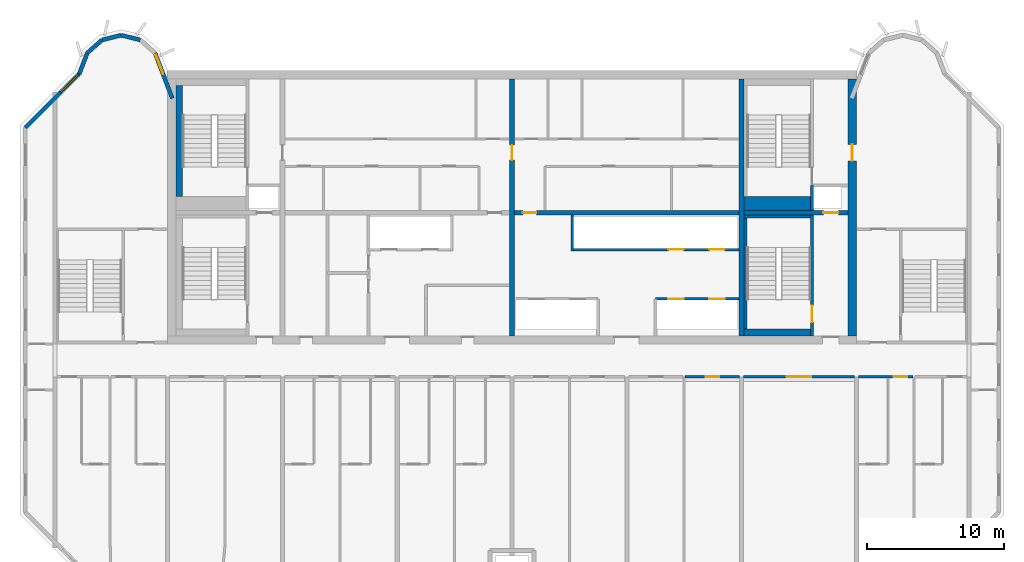
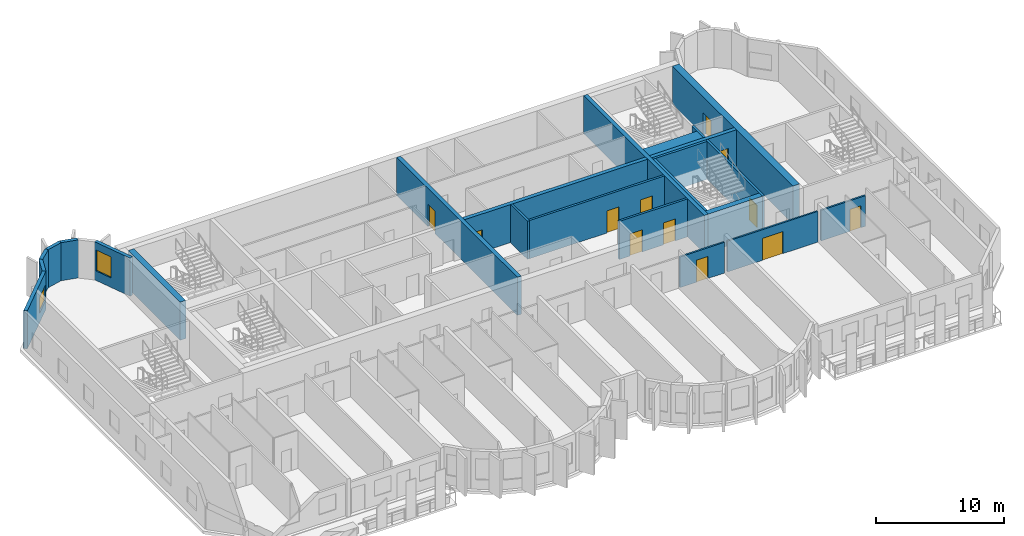
# One storey, part 6 of 11: 24 walls, 12 doors, 2 windows, 14 openings.
"""IFC4 building model written with IfcOpenShell, lengths in metres."""

from ifc_helpers import new_model, si_unit, direction, frame, frame_2d, origin, place, context, subcontext, project, spatial, rectangle, extrude, source, transform, mapped, material, layer, layer_set, type_object, element, fill, save


model = new_model("IFC4")

# Units and contexts
model_context = context("Model", 3, precision=1e-05, world=origin(), true_north=direction((0.0, 1.0)))
body_context = subcontext(model_context, "Body", "Model", "MODEL_VIEW")
ifc_project = project(units=[si_unit("LENGTHUNIT", "METRE"), si_unit("AREAUNIT", "SQUARE_METRE"), si_unit("VOLUMEUNIT", "CUBIC_METRE"), si_unit("PLANEANGLEUNIT", "RADIAN"), si_unit("MASSUNIT", "GRAM", prefix="KILO")], contexts=[model_context])

# Site, building, storey
site_placement = place(None, origin())
site = spatial("IfcSite", under=ifc_project, at=site_placement, CompositionType="ELEMENT")
building_placement = place(site_placement, origin())
building = spatial("IfcBuilding", under=site, at=building_placement, Name="Vanashikhar Sky Hotel", CompositionType="ELEMENT")
storey_placement = place(building_placement, frame((0.0, 0.0, 245.199951171875)))
storey = spatial("IfcBuildingStorey", under=building, at=storey_placement, Name="L59", CompositionType="ELEMENT", Elevation=245.199951171875)

# Wall, opening, door
ifc_material_1 = material(Name="Concrete M60", Category="concrete")
ifc_layer_1 = layer(ifc_material_1, 0.60009765625)
ifc_layer_set_1 = layer_set([ifc_layer_1], Name="RC core shell wall 600 Concrete M60")
wall_type_1 = type_object("IfcWallType", Name="RC core shell wall 600 Concrete M60", PredefinedType="SHEAR", material=ifc_layer_set_1)
shared_shape_1 = source(origin(), body_context, "Body", "SweptSolid", [
    extrude(rectangle(XDim=18.7998046875, YDim=0.60009765625, at=frame_2d((9.39990234375, 0.0))), origin(), (0.0, 0.0, 1.0), 3.6201171875),
])
wall_1_placement = place(storey_placement, frame((75.300048828125, 22.60009765625, 0.0), z_axis=(0.0, 0.0, 1.0), x_axis=(0.0, 1.0, 0.0)))
wall_1 = element("IfcWall", 1, at=wall_1_placement, inside=storey, type_object=wall_type_1, Name="KW-L59-KE", PredefinedType="SHEAR", context=body_context, shape_type="MappedRepresentation", body=[
    mapped(shared_shape_1, transform((0.0, 0.0, 0.0), scale=1.0)),
])
shared_shape_2 = source(origin(), body_context, "Body", "SweptSolid", [
    extrude(rectangle(XDim=1.199951171875, YDim=2.10009765625, at=frame_2d((0.60009765625, 1.050048828125))), frame((0.0, 0.31005859375, 0.0), z_axis=(0.0, -1.0, 0.0), x_axis=(1.0, 0.0, 0.0)), (0.0, 0.0, 1.0), 0.6201171875),
])
opening_1_placement = place(wall_1_placement, frame((12.800048828125, 0.0, 0.0)))
opening_1 = element("IfcOpeningElement", 2, at=opening_1_placement, cuts=wall_1, Name="Opening DC-4-D", PredefinedType="OPENING", context=body_context, shape_type="MappedRepresentation", body=[
    mapped(shared_shape_2, transform((0.0, 0.0, 0.0), scale=1.0)),
])
ifc_material_2 = material(Name="Steel", Category="steel")
door_type_1 = type_object("IfcDoorType", Name="Service door 1200 FD120", OperationType="NOTDEFINED", PredefinedType="DOOR", material=ifc_material_2)
shared_shape_3 = source(origin(), body_context, "Body", "SweptSolid", [
    extrude(rectangle(XDim=1.199951171875, YDim=2.10009765625, at=frame_2d((0.60009765625, 1.050048828125))), frame((0.0, 0.02490234375, 0.0), z_axis=(0.0, -1.0, 0.0), x_axis=(1.0, 0.0, 0.0)), (0.0, 0.0, 1.0), 0.050048828125),
])
door_1_placement = place(opening_1_placement, origin())
door_1 = element("IfcDoor", 3, at=door_1_placement, inside=storey, type_object=door_type_1, Name="Service door 1200 FD120", OperationType="SINGLE_SWING_LEFT", OverallHeight=2.10009765625, OverallWidth=1.199951171875, PredefinedType="DOOR", context=body_context, shape_type="MappedRepresentation", body=[
    mapped(shared_shape_3, transform((0.0, 0.0, 0.0), scale=1.0)),
])
fill(opening_1, door_1)

ifc_layer_2 = layer(ifc_material_1, 0.35009765625)
ifc_layer_set_2 = layer_set([ifc_layer_2], Name="RC core inner wall 350 Concrete M60")
wall_type_2 = type_object("IfcWallType", Name="RC core inner wall 350 Concrete M60", PredefinedType="SHEAR", material=ifc_layer_set_2)
shared_shape_4 = source(origin(), body_context, "Body", "SweptSolid", [
    extrude(rectangle(XDim=18.7998046875, YDim=0.35009765625, at=frame_2d((9.39990234375, 0.0))), origin(), (0.0, 0.0, 1.0), 3.6201171875),
])
wall_2_placement = place(storey_placement, frame((50.39990234375, 22.60009765625, 0.0), z_axis=(0.0, 0.0, 1.0), x_axis=(0.0, 1.0, 0.0)))
wall_2 = element("IfcWall", 4, at=wall_2_placement, inside=storey, type_object=wall_type_2, Name="KW-L59-KX2", PredefinedType="SHEAR", context=body_context, shape_type="MappedRepresentation", body=[
    mapped(shared_shape_4, transform((0.0, 0.0, 0.0), scale=1.0)),
])
shared_shape_5 = source(origin(), body_context, "Body", "SweptSolid", [
    extrude(rectangle(XDim=1.10009765625, YDim=2.10009765625, at=frame_2d((0.550048828125, 1.050048828125))), frame((0.0, 0.18505859375, 0.0), z_axis=(0.0, -1.0, 0.0), x_axis=(1.0, 0.0, 0.0)), (0.0, 0.0, 1.0), 0.3701171875),
])
opening_2_placement = place(wall_2_placement, frame((12.85009765625, 0.0, 0.0)))
opening_2 = element("IfcOpeningElement", 5, at=opening_2_placement, cuts=wall_2, Name="Opening DC-4-C", PredefinedType="OPENING", context=body_context, shape_type="MappedRepresentation", body=[
    mapped(shared_shape_5, transform((0.0, 0.0, 0.0), scale=1.0)),
])
door_type_2 = type_object("IfcDoorType", Name="Service door 1100 FD60", OperationType="NOTDEFINED", PredefinedType="DOOR", material=ifc_material_2)
shared_shape_6 = source(origin(), body_context, "Body", "SweptSolid", [
    extrude(rectangle(XDim=1.10009765625, YDim=2.10009765625, at=frame_2d((0.550048828125, 1.050048828125))), frame((0.0, 0.02490234375, 0.0), z_axis=(0.0, -1.0, 0.0), x_axis=(1.0, 0.0, 0.0)), (0.0, 0.0, 1.0), 0.050048828125),
])
door_2_placement = place(opening_2_placement, origin())
door_2 = element("IfcDoor", 6, at=door_2_placement, inside=storey, type_object=door_type_2, Name="Service door 1100 FD60", OperationType="SINGLE_SWING_RIGHT", OverallHeight=2.10009765625, OverallWidth=1.10009765625, PredefinedType="DOOR", context=body_context, shape_type="MappedRepresentation", body=[
    mapped(shared_shape_6, transform((0.0, 0.0, 0.0), scale=1.0)),
])
fill(opening_2, door_2)

# Wall
wall_3_placement = place(storey_placement, frame((67.199951171875, 22.60009765625, 0.0), z_axis=(0.0, 0.0, 1.0), x_axis=(0.0, 1.0, 0.0)))
element("IfcWall", 7, at=wall_3_placement, inside=storey, type_object=wall_type_2, Name="KW-L59-KX3", PredefinedType="SHEAR", context=body_context, shape_type="MappedRepresentation", body=[
    mapped(shared_shape_4, transform((0.0, 0.0, 0.0), scale=1.0)),
])

# Wall, opening, door
shared_shape_7 = source(origin(), body_context, "Body", "SweptSolid", [
    extrude(rectangle(XDim=7.625, YDim=0.35009765625, at=frame_2d((3.8125, 0.0))), origin(), (0.0, 0.0, 1.0), 3.6201171875),
])
wall_4_placement = place(storey_placement, frame((67.375, 31.60009765625, 0.0), z_axis=(0.0, 0.0, 1.0), x_axis=(1.0, 0.0, 0.0)))
wall_4 = element("IfcWall", 8, at=wall_4_placement, inside=storey, type_object=wall_type_2, Name="KW-L59-KY4", PredefinedType="SHEAR", context=body_context, shape_type="MappedRepresentation", body=[
    mapped(shared_shape_7, transform((0.0, 0.0, 0.0), scale=1.0)),
])
opening_3_placement = place(wall_4_placement, frame((5.800048828125, 0.0, 0.0)))
opening_3 = element("IfcOpeningElement", 9, at=opening_3_placement, cuts=wall_4, Name="Opening LD", PredefinedType="OPENING", context=body_context, shape_type="MappedRepresentation", body=[
    mapped(shared_shape_5, transform((0.0, 0.0, 0.0), scale=1.0)),
])
ifc_material_3 = material(Name="Stainless steel", Category="steel")
door_type_3 = type_object("IfcDoorType", Name="Lift landing door 1100", OperationType="NOTDEFINED", PredefinedType="DOOR", material=ifc_material_3)
door_3_placement = place(opening_3_placement, origin())
door_3 = element("IfcDoor", 10, at=door_3_placement, inside=storey, type_object=door_type_3, Name="Lift landing door 1100", OperationType="SLIDING_TO_RIGHT", OverallHeight=2.10009765625, OverallWidth=1.10009765625, PredefinedType="DOOR", context=body_context, shape_type="MappedRepresentation", body=[
    mapped(shared_shape_6, transform((0.0, 0.0, 0.0), scale=1.0)),
])
fill(opening_3, door_3)

shared_shape_8 = source(origin(), body_context, "Body", "SweptSolid", [
    extrude(rectangle(XDim=16.449951171875, YDim=0.35009765625, at=frame_2d((8.22509765625, 0.0))), origin(), (0.0, 0.0, 1.0), 3.6201171875),
])
wall_5_placement = place(storey_placement, frame((50.574951171875, 31.60009765625, 0.0), z_axis=(0.0, 0.0, 1.0), x_axis=(1.0, 0.0, 0.0)))
wall_5 = element("IfcWall", 11, at=wall_5_placement, inside=storey, type_object=wall_type_2, Name="KW-L59-KY3", PredefinedType="SHEAR", context=body_context, shape_type="MappedRepresentation", body=[
    mapped(shared_shape_8, transform((0.0, 0.0, 0.0), scale=1.0)),
])
shared_shape_9 = source(origin(), body_context, "Body", "SweptSolid", [
    extrude(rectangle(XDim=1.0, YDim=2.10009765625, at=frame_2d((0.5, 1.050048828125))), frame((0.0, 0.18505859375, 0.0), z_axis=(0.0, -1.0, 0.0), x_axis=(1.0, 0.0, 0.0)), (0.0, 0.0, 1.0), 0.3701171875),
])
opening_4_placement = place(wall_5_placement, frame((0.613037109375, 0.0, 0.0)))
opening_4 = element("IfcOpeningElement", 12, at=opening_4_placement, cuts=wall_5, Name="Opening DC-4", PredefinedType="OPENING", context=body_context, shape_type="MappedRepresentation", body=[
    mapped(shared_shape_9, transform((0.0, 0.0, 0.0), scale=1.0)),
])
door_type_4 = type_object("IfcDoorType", Name="Service door 1000 FD60", OperationType="NOTDEFINED", PredefinedType="DOOR", material=ifc_material_2)
shared_shape_10 = source(origin(), body_context, "Body", "SweptSolid", [
    extrude(rectangle(XDim=1.0, YDim=2.10009765625, at=frame_2d((0.5, 1.050048828125))), frame((0.0, 0.02490234375, 0.0), z_axis=(0.0, -1.0, 0.0), x_axis=(1.0, 0.0, 0.0)), (0.0, 0.0, 1.0), 0.050048828125),
])
door_4_placement = place(opening_4_placement, origin())
door_4 = element("IfcDoor", 13, at=door_4_placement, inside=storey, type_object=door_type_4, Name="Service door 1000 FD60", OperationType="SINGLE_SWING_RIGHT", OverallHeight=2.10009765625, OverallWidth=1.0, PredefinedType="DOOR", context=body_context, shape_type="MappedRepresentation", body=[
    mapped(shared_shape_10, transform((0.0, 0.0, 0.0), scale=1.0)),
])
fill(opening_4, door_4)

# Wall, opening, window
ifc_material_4 = material(Name="Concrete M50", Category="concrete")
ifc_layer_3 = layer(ifc_material_4, 0.300048828125)
ifc_layer_set_3 = layer_set([ifc_layer_3], Name="Lobe wall 300")
wall_type_3 = type_object("IfcWallType", Name="Lobe wall 300", PredefinedType="SOLIDWALL", material=ifc_layer_set_3)
shared_shape_11 = source(origin(), body_context, "Body", "SweptSolid", [
    extrude(rectangle(XDim=5.576416015625, YDim=0.300048828125, at=frame_2d((2.7880859375, 0.0))), origin(), (0.0, 0.0, 1.0), 3.6201171875),
])
wall_6_placement = place(storey_placement, frame((18.7431640625, 41.77734375, 0.0), z_axis=(0.0, 0.0, 1.0), x_axis=(-0.707106781187, -0.707106781187, 0.0)))
wall_6 = element("IfcWall", 14, at=wall_6_placement, inside=storey, type_object=wall_type_3, Name="Corner wall", PredefinedType="SOLIDWALL", context=body_context, shape_type="MappedRepresentation", body=[
    mapped(shared_shape_11, transform((0.0, 0.0, 0.0), scale=1.0)),
])
shared_shape_12 = source(origin(), body_context, "Body", "SweptSolid", [
    extrude(rectangle(XDim=1.800048828125, YDim=1.5, at=frame_2d((0.89990234375, 0.75))), frame((0.0, 0.16015625, 0.0), z_axis=(0.0, -1.0, 0.0), x_axis=(1.0, 0.0, 0.0)), (0.0, 0.0, 1.0), 0.320068359375),
])
opening_5_placement = place(wall_6_placement, frame((0.117919921875, 0.0, 0.89990234375)))
opening_5 = element("IfcOpeningElement", 15, at=opening_5_placement, cuts=wall_6, Name="Opening WN-4", PredefinedType="OPENING", context=body_context, shape_type="MappedRepresentation", body=[
    mapped(shared_shape_12, transform((0.0, 0.0, 0.0), scale=1.0)),
])
ifc_material_5 = material(Name="Glass", Category="glass")
window_type_1 = type_object("IfcWindowType", Name="Corner window 1800 x 1500", PartitioningType="SINGLE_PANEL", PredefinedType="WINDOW", material=ifc_material_5)
shared_shape_13 = source(origin(), body_context, "Body", "SweptSolid", [
    extrude(rectangle(XDim=1.800048828125, YDim=1.5, at=frame_2d((0.89990234375, 0.75))), frame((0.0, 0.030029296875, 0.0), z_axis=(0.0, -1.0, 0.0), x_axis=(1.0, 0.0, 0.0)), (0.0, 0.0, 1.0), 0.06005859375),
])
window_1_placement = place(opening_5_placement, origin())
window_1 = element("IfcWindow", 16, at=window_1_placement, inside=storey, type_object=window_type_1, Name="Window WN-4", OverallHeight=1.5, OverallWidth=1.800048828125, PartitioningType="SINGLE_PANEL", PredefinedType="WINDOW", context=body_context, shape_type="MappedRepresentation", body=[
    mapped(shared_shape_13, transform((0.0, 0.0, 0.0), scale=1.0)),
])
fill(opening_5, window_1)

# Walls
shared_shape_14 = source(origin(), body_context, "Body", "SweptSolid", [
    extrude(rectangle(XDim=1.6220703125, YDim=0.300048828125, at=frame_2d((0.81103515625, 0.0))), origin(), (0.0, 0.0, 1.0), 3.6201171875),
])
wall_7_placement = place(storey_placement, frame((19.323486328125, 43.2919921875, 0.0), z_axis=(0.0, 0.0, 1.0), x_axis=(-0.357778527068, -0.933806471154, 0.0)))
element("IfcWall", 17, at=wall_7_placement, inside=storey, type_object=wall_type_3, Name="Lobe wall", PredefinedType="SOLIDWALL", context=body_context, shape_type="MappedRepresentation", body=[
    mapped(shared_shape_14, transform((0.0, 0.0, 0.0), scale=1.0)),
])
shared_shape_15 = source(origin(), body_context, "Body", "SweptSolid", [
    extrude(rectangle(XDim=1.43994140625, YDim=0.300048828125, at=frame_2d((0.719970703125, 0.0))), origin(), (0.0, 0.0, 1.0), 3.6201171875),
])
wall_8_placement = place(storey_placement, frame((20.40283203125, 44.2451171875, 0.0), z_axis=(0.0, 0.0, 1.0), x_axis=(-0.74957555648, -0.661918790432, 0.0)))
element("IfcWall", 18, at=wall_8_placement, inside=storey, type_object=wall_type_3, Name="Lobe wall", PredefinedType="SOLIDWALL", context=body_context, shape_type="MappedRepresentation", body=[
    mapped(shared_shape_15, transform((0.0, 0.0, 0.0), scale=1.0)),
])
shared_shape_16 = source(origin(), body_context, "Body", "SweptSolid", [
    extrude(rectangle(XDim=1.438720703125, YDim=0.300048828125, at=frame_2d((0.71923828125, 0.0))), origin(), (0.0, 0.0, 1.0), 3.6201171875),
])
wall_9_placement = place(storey_placement, frame((21.800048828125, 44.588134765625, 0.0), z_axis=(0.0, 0.0, 1.0), x_axis=(-0.971161932466, -0.238420848351, 0.0)))
element("IfcWall", 19, at=wall_9_placement, inside=storey, type_object=wall_type_3, Name="Lobe wall", PredefinedType="SOLIDWALL", context=body_context, shape_type="MappedRepresentation", body=[
    mapped(shared_shape_16, transform((0.0, 0.0, 0.0), scale=1.0)),
])

# Wall, opening, window
shared_shape_17 = source(origin(), body_context, "Body", "SweptSolid", [
    extrude(rectangle(XDim=3.55908203125, YDim=0.300048828125, at=frame_2d((1.779541015625, 0.0))), origin(), (0.0, 0.0, 1.0), 3.6201171875),
])
wall_10_placement = place(storey_placement, frame((25.550048828125, 39.968505859375, 0.0), z_axis=(0.0, 0.0, 1.0), x_axis=(-0.35779745313, 0.933799219604, 0.0)))
wall_10 = element("IfcWall", 20, at=wall_10_placement, inside=storey, type_object=wall_type_3, Name="Lobe wall", PredefinedType="SOLIDWALL", context=body_context, shape_type="MappedRepresentation", body=[
    mapped(shared_shape_17, transform((0.0, 0.0, 0.0), scale=1.0)),
])
shared_shape_18 = source(origin(), body_context, "Body", "SweptSolid", [
    extrude(rectangle(XDim=1.5, YDim=2.0, at=frame_2d((0.75, 1.0))), frame((0.0, 0.16015625, 0.0), z_axis=(0.0, -1.0, 0.0), x_axis=(1.0, 0.0, 0.0)), (0.0, 0.0, 1.0), 0.320068359375),
])
opening_6_placement = place(wall_10_placement, frame((1.9033203125, 0.0, 0.89990234375)))
opening_6 = element("IfcOpeningElement", 21, at=opening_6_placement, cuts=wall_10, Name="Opening WN-2", PredefinedType="OPENING", context=body_context, shape_type="MappedRepresentation", body=[
    mapped(shared_shape_18, transform((0.0, 0.0, 0.0), scale=1.0)),
])
window_type_2 = type_object("IfcWindowType", Name="Lobe window 1500 x 2000", PartitioningType="SINGLE_PANEL", PredefinedType="WINDOW", material=ifc_material_5)
shared_shape_19 = source(origin(), body_context, "Body", "SweptSolid", [
    extrude(rectangle(XDim=1.5, YDim=2.0, at=frame_2d((0.75, 1.0))), frame((0.0, 0.030029296875, 0.0), z_axis=(0.0, -1.0, 0.0), x_axis=(1.0, 0.0, 0.0)), (0.0, 0.0, 1.0), 0.06005859375),
])
window_2_placement = place(opening_6_placement, origin())
window_2 = element("IfcWindow", 22, at=window_2_placement, inside=storey, type_object=window_type_2, Name="Window WN-2", OverallHeight=2.0, OverallWidth=1.5, PartitioningType="SINGLE_PANEL", PredefinedType="WINDOW", context=body_context, shape_type="MappedRepresentation", body=[
    mapped(shared_shape_19, transform((0.0, 0.0, 0.0), scale=1.0)),
])
fill(opening_6, window_2)

# Walls
shared_shape_20 = source(origin(), body_context, "Body", "SweptSolid", [
    extrude(rectangle(XDim=1.4384765625, YDim=0.300048828125, at=frame_2d((0.71923828125, 0.0))), origin(), (0.0, 0.0, 1.0), 3.6201171875),
])
wall_11_placement = place(storey_placement, frame((23.197021484375, 44.2451171875, 0.0), z_axis=(0.0, 0.0, 1.0), x_axis=(-0.971152283879, 0.238460146601, 0.0)))
element("IfcWall", 23, at=wall_11_placement, inside=storey, type_object=wall_type_3, Name="Lobe wall", PredefinedType="SOLIDWALL", context=body_context, shape_type="MappedRepresentation", body=[
    mapped(shared_shape_20, transform((0.0, 0.0, 0.0), scale=1.0)),
])
ifc_material_6 = material(Name="Concrete M40", Category="concrete")
ifc_layer_4 = layer(ifc_material_6, 0.199951171875)
ifc_layer_set_4 = layer_set([ifc_layer_4], Name="Shaft wall 200")
wall_type_4 = type_object("IfcWallType", Name="Shaft wall 200", PredefinedType="SOLIDWALL", material=ifc_layer_set_4)
shared_shape_21 = source(origin(), body_context, "Body", "SweptSolid", [
    extrude(rectangle(XDim=2.625, YDim=0.199951171875, at=frame_2d((1.3125, 0.0))), origin(), (0.0, 0.0, 1.0), 3.6201171875),
])
wall_12_placement = place(storey_placement, frame((54.800048828125, 28.800048828125, 0.0), z_axis=(0.0, 0.0, 1.0), x_axis=(0.0, 1.0, 0.0)))
element("IfcWall", 24, at=wall_12_placement, inside=storey, type_object=wall_type_4, Name="Shaft wall 200", PredefinedType="SOLIDWALL", context=body_context, shape_type="MappedRepresentation", body=[
    mapped(shared_shape_21, transform((0.0, 0.0, 0.0), scale=1.0)),
])

# Wall, openings, doors
shared_shape_22 = source(origin(), body_context, "Body", "SweptSolid", [
    extrude(rectangle(XDim=6.125, YDim=0.199951171875, at=frame_2d((3.0625, 0.0))), origin(), (0.0, 0.0, 1.0), 3.6201171875),
])
wall_13_placement = place(storey_placement, frame((67.02490234375, 25.300048828125, 0.0), z_axis=(0.0, 0.0, 1.0), x_axis=(-1.0, 0.0, 0.0)))
wall_13 = element("IfcWall", 25, at=wall_13_placement, inside=storey, type_object=wall_type_4, Name="Shaft wall 200", PredefinedType="SOLIDWALL", context=body_context, shape_type="MappedRepresentation", body=[
    mapped(shared_shape_22, transform((0.0, 0.0, 0.0), scale=1.0)),
])
shared_shape_23 = source(origin(), body_context, "Body", "SweptSolid", [
    extrude(rectangle(XDim=1.10009765625, YDim=2.10009765625, at=frame_2d((0.550048828125, 1.050048828125))), frame((0.0, 0.10986328125, 0.0), z_axis=(0.0, -1.0, 0.0), x_axis=(1.0, 0.0, 0.0)), (0.0, 0.0, 1.0), 0.219970703125),
])
opening_7_placement = place(wall_13_placement, frame((1.074951171875, 0.0, 0.0)))
opening_7 = element("IfcOpeningElement", 26, at=opening_7_placement, cuts=wall_13, Name="Opening LD", PredefinedType="OPENING", context=body_context, shape_type="MappedRepresentation", body=[
    mapped(shared_shape_23, transform((0.0, 0.0, 0.0), scale=1.0)),
])
opening_8_placement = place(wall_13_placement, frame((4.074951171875, 0.0, 0.0)))
opening_8 = element("IfcOpeningElement", 27, at=opening_8_placement, cuts=wall_13, Name="Opening LD", PredefinedType="OPENING", context=body_context, shape_type="MappedRepresentation", body=[
    mapped(shared_shape_23, transform((0.0, 0.0, 0.0), scale=1.0)),
])
door_5_placement = place(opening_7_placement, origin())
door_5 = element("IfcDoor", 28, at=door_5_placement, inside=storey, type_object=door_type_3, Name="Lift landing door 1100", OperationType="SLIDING_TO_RIGHT", OverallHeight=2.10009765625, OverallWidth=1.10009765625, PredefinedType="DOOR", context=body_context, shape_type="MappedRepresentation", body=[
    mapped(shared_shape_6, transform((0.0, 0.0, 0.0), scale=1.0)),
])
fill(opening_7, door_5)
door_6_placement = place(opening_8_placement, origin())
door_6 = element("IfcDoor", 29, at=door_6_placement, inside=storey, type_object=door_type_3, Name="Lift landing door 1100", OperationType="SLIDING_TO_LEFT", OverallHeight=2.10009765625, OverallWidth=1.10009765625, PredefinedType="DOOR", context=body_context, shape_type="MappedRepresentation", body=[
    mapped(shared_shape_6, transform((0.0, 0.0, 0.0), scale=1.0)),
])
fill(opening_8, door_6)

shared_shape_24 = source(origin(), body_context, "Body", "SweptSolid", [
    extrude(rectangle(XDim=12.125, YDim=0.199951171875, at=frame_2d((6.0625, 0.0))), origin(), (0.0, 0.0, 1.0), 3.6201171875),
])
wall_14_placement = place(storey_placement, frame((67.02490234375, 28.89990234375, 0.0), z_axis=(0.0, 0.0, 1.0), x_axis=(-1.0, 0.0, 0.0)))
wall_14 = element("IfcWall", 30, at=wall_14_placement, inside=storey, type_object=wall_type_4, Name="Shaft wall 200", PredefinedType="SOLIDWALL", context=body_context, shape_type="MappedRepresentation", body=[
    mapped(shared_shape_24, transform((0.0, 0.0, 0.0), scale=1.0)),
])
opening_9_placement = place(wall_14_placement, frame((1.074951171875, 0.0, 0.0)))
opening_9 = element("IfcOpeningElement", 31, at=opening_9_placement, cuts=wall_14, Name="Opening LD", PredefinedType="OPENING", context=body_context, shape_type="MappedRepresentation", body=[
    mapped(shared_shape_23, transform((0.0, 0.0, 0.0), scale=1.0)),
])
opening_10_placement = place(wall_14_placement, frame((4.074951171875, 0.0, 0.0)))
opening_10 = element("IfcOpeningElement", 32, at=opening_10_placement, cuts=wall_14, Name="Opening LD", PredefinedType="OPENING", context=body_context, shape_type="MappedRepresentation", body=[
    mapped(shared_shape_23, transform((0.0, 0.0, 0.0), scale=1.0)),
])
door_7_placement = place(opening_9_placement, origin())
door_7 = element("IfcDoor", 33, at=door_7_placement, inside=storey, type_object=door_type_3, Name="Lift landing door 1100", OperationType="SLIDING_TO_RIGHT", OverallHeight=2.10009765625, OverallWidth=1.10009765625, PredefinedType="DOOR", context=body_context, shape_type="MappedRepresentation", body=[
    mapped(shared_shape_6, transform((0.0, 0.0, 0.0), scale=1.0)),
])
fill(opening_9, door_7)
door_8_placement = place(opening_10_placement, origin())
door_8 = element("IfcDoor", 34, at=door_8_placement, inside=storey, type_object=door_type_3, Name="Lift landing door 1100", OperationType="SLIDING_TO_LEFT", OverallHeight=2.10009765625, OverallWidth=1.10009765625, PredefinedType="DOOR", context=body_context, shape_type="MappedRepresentation", body=[
    mapped(shared_shape_6, transform((0.0, 0.0, 0.0), scale=1.0)),
])
fill(opening_10, door_8)

# Wall, opening, door
ifc_layer_5 = layer(ifc_material_4, 0.199951171875)
ifc_layer_set_5 = layer_set([ifc_layer_5], Name="Stair wall 200")
wall_type_5 = type_object("IfcWallType", Name="Stair wall 200", PredefinedType="SOLIDWALL", material=ifc_layer_set_5)
shared_shape_25 = source(origin(), body_context, "Body", "SweptSolid", [
    extrude(rectangle(XDim=8.824951171875, YDim=0.199951171875, at=frame_2d((4.41259765625, 0.0))), origin(), (0.0, 0.0, 1.0), 3.6201171875),
])
wall_15_placement = place(storey_placement, frame((72.35009765625, 22.60009765625, 0.0), z_axis=(0.0, 0.0, 1.0), x_axis=(0.0, 1.0, 0.0)))
wall_15 = element("IfcWall", 35, at=wall_15_placement, inside=storey, type_object=wall_type_5, Name="Stair wall 200", PredefinedType="SOLIDWALL", context=body_context, shape_type="MappedRepresentation", body=[
    mapped(shared_shape_25, transform((0.0, 0.0, 0.0), scale=1.0)),
])
shared_shape_26 = source(origin(), body_context, "Body", "SweptSolid", [
    extrude(rectangle(XDim=1.199951171875, YDim=2.10009765625, at=frame_2d((0.60009765625, 1.050048828125))), frame((0.0, 0.10986328125, 0.0), z_axis=(0.0, -1.0, 0.0), x_axis=(1.0, 0.0, 0.0)), (0.0, 0.0, 1.0), 0.219970703125),
])
opening_11_placement = place(wall_15_placement, frame((1.0, 0.0, 0.0)))
opening_11 = element("IfcOpeningElement", 36, at=opening_11_placement, cuts=wall_15, Name="Opening DC-1", PredefinedType="OPENING", context=body_context, shape_type="MappedRepresentation", body=[
    mapped(shared_shape_26, transform((0.0, 0.0, 0.0), scale=1.0)),
])
door_type_5 = type_object("IfcDoorType", Name="Stair door 1200 FD120", OperationType="NOTDEFINED", PredefinedType="DOOR", material=ifc_material_2)
door_9_placement = place(opening_11_placement, origin())
door_9 = element("IfcDoor", 37, at=door_9_placement, inside=storey, type_object=door_type_5, Name="Stair door 1200 FD120", OperationType="SINGLE_SWING_RIGHT", OverallHeight=2.10009765625, OverallWidth=1.199951171875, PredefinedType="DOOR", context=body_context, shape_type="MappedRepresentation", body=[
    mapped(shared_shape_3, transform((0.0, 0.0, 0.0), scale=1.0)),
])
fill(opening_11, door_9)

# Walls
shared_shape_27 = source(origin(), body_context, "Body", "SweptSolid", [
    extrude(rectangle(XDim=1.8251953125, YDim=0.199951171875, at=frame_2d((0.91259765625, 0.0))), origin(), (0.0, 0.0, 1.0), 3.6201171875),
])
wall_16_placement = place(storey_placement, frame((72.35009765625, 31.77490234375, 0.0), z_axis=(0.0, 0.0, 1.0), x_axis=(0.0, 1.0, 0.0)))
element("IfcWall", 38, at=wall_16_placement, inside=storey, type_object=wall_type_4, Name="Shaft wall 200", PredefinedType="SOLIDWALL", context=body_context, shape_type="MappedRepresentation", body=[
    mapped(shared_shape_27, transform((0.0, 0.0, 0.0), scale=1.0)),
])
ifc_layer_6 = layer(ifc_material_4, 0.5)
ifc_layer_set_6 = layer_set([ifc_layer_6], Name="Stair infill wall 500")
wall_type_6 = type_object("IfcWallType", Name="Stair infill wall 500", PredefinedType="SOLIDWALL", material=ifc_layer_set_6)
shared_shape_28 = source(origin(), body_context, "Body", "SweptSolid", [
    extrude(rectangle(XDim=8.099853515625, YDim=0.5, at=frame_2d((4.0498046875, 0.0))), origin(), (0.0, 0.0, 1.0), 3.6201171875),
])
wall_17_placement = place(storey_placement, frame((26.050048828125, 32.800048828125, 0.0), z_axis=(0.0, 0.0, 1.0), x_axis=(0.0, 1.0, 0.0)))
element("IfcWall", 39, at=wall_17_placement, inside=storey, type_object=wall_type_6, Name="Stair infill wall 500", PredefinedType="SOLIDWALL", context=body_context, shape_type="MappedRepresentation", body=[
    mapped(shared_shape_28, transform((0.0, 0.0, 0.0), scale=1.0)),
])
shared_shape_29 = source(origin(), body_context, "Body", "SweptSolid", [
    extrude(rectangle(XDim=4.875, YDim=0.5, at=frame_2d((2.4375, 0.0))), origin(), (0.0, 0.0, 1.0), 3.6201171875),
])
wall_18_placement = place(storey_placement, frame((67.375, 22.85009765625, 0.0), z_axis=(0.0, 0.0, 1.0), x_axis=(1.0, 0.0, 0.0)))
element("IfcWall", 40, at=wall_18_placement, inside=storey, type_object=wall_type_6, Name="Stair infill wall 500", PredefinedType="SOLIDWALL", context=body_context, shape_type="MappedRepresentation", body=[
    mapped(shared_shape_29, transform((0.0, 0.0, 0.0), scale=1.0)),
])
ifc_layer_7 = layer(ifc_material_4, 0.22509765625)
ifc_layer_set_7 = layer_set([ifc_layer_7], Name="Stair infill wall 225")
wall_type_7 = type_object("IfcWallType", Name="Stair infill wall 225", PredefinedType="SOLIDWALL", material=ifc_layer_set_7)
shared_shape_30 = source(origin(), body_context, "Body", "SweptSolid", [
    extrude(rectangle(XDim=4.875, YDim=0.22509765625, at=frame_2d((2.4375, 0.0))), origin(), (0.0, 0.0, 1.0), 3.6201171875),
])
wall_19_placement = place(storey_placement, frame((67.375, 31.31201171875, 0.0), z_axis=(0.0, 0.0, 1.0), x_axis=(1.0, 0.0, 0.0)))
element("IfcWall", 41, at=wall_19_placement, inside=storey, type_object=wall_type_7, Name="Stair infill wall 225", PredefinedType="SOLIDWALL", context=body_context, shape_type="MappedRepresentation", body=[
    mapped(shared_shape_30, transform((0.0, 0.0, 0.0), scale=1.0)),
])
shared_shape_31 = source(origin(), body_context, "Body", "SweptSolid", [
    extrude(rectangle(XDim=8.099853515625, YDim=0.22509765625, at=frame_2d((4.0498046875, 0.0))), origin(), (0.0, 0.0, 1.0), 3.6201171875),
])
wall_20_placement = place(storey_placement, frame((67.487060546875, 23.10009765625, 0.0), z_axis=(0.0, 0.0, 1.0), x_axis=(0.0, 1.0, 0.0)))
element("IfcWall", 42, at=wall_20_placement, inside=storey, type_object=wall_type_7, Name="Stair infill wall 225", PredefinedType="SOLIDWALL", context=body_context, shape_type="MappedRepresentation", body=[
    mapped(shared_shape_31, transform((0.0, 0.0, 0.0), scale=1.0)),
])
ifc_layer_8 = layer(ifc_material_4, 1.02490234375)
ifc_layer_set_8 = layer_set([ifc_layer_8], Name="Stair infill wall 1025")
wall_type_8 = type_object("IfcWallType", Name="Stair infill wall 1025", PredefinedType="SOLIDWALL", material=ifc_layer_set_8)
shared_shape_32 = source(origin(), body_context, "Body", "SweptSolid", [
    extrude(rectangle(XDim=4.875, YDim=1.02490234375, at=frame_2d((2.4375, 0.0))), origin(), (0.0, 0.0, 1.0), 3.6201171875),
])
wall_21_placement = place(storey_placement, frame((67.375, 32.287109375, 0.0), z_axis=(0.0, 0.0, 1.0), x_axis=(1.0, 0.0, 0.0)))
element("IfcWall", 43, at=wall_21_placement, inside=storey, type_object=wall_type_8, Name="Stair infill wall 1025", PredefinedType="SOLIDWALL", context=body_context, shape_type="MappedRepresentation", body=[
    mapped(shared_shape_32, transform((0.0, 0.0, 0.0), scale=1.0)),
])

# Wall, opening, door
ifc_material_7 = material(Name="Gypsum plasterboard partition")
ifc_layer_9 = layer(ifc_material_7, 0.14990234375)
ifc_layer_set_9 = layer_set([ifc_layer_9], Name="Corridor and demising partition 150")
wall_type_9 = type_object("IfcWallType", Name="Corridor and demising partition 150", PredefinedType="PARTITIONING", material=ifc_layer_set_9)
shared_shape_33 = source(origin(), body_context, "Body", "SweptSolid", [
    extrude(rectangle(XDim=3.97509765625, YDim=0.14990234375, at=frame_2d((1.987548828125, 0.0))), origin(), (0.0, 0.0, 1.0), 2.920166015625),
])
wall_22_placement = place(storey_placement, frame((63.074951171875, 19.60009765625, 0.0), z_axis=(0.0, 0.0, 1.0), x_axis=(1.0, 0.0, 0.0)))
wall_22 = element("IfcWall", 44, at=wall_22_placement, inside=storey, type_object=wall_type_9, Name="W-L59-PW029", PredefinedType="PARTITIONING", context=body_context, shape_type="MappedRepresentation", body=[
    mapped(shared_shape_33, transform((0.0, 0.0, 0.0), scale=1.0)),
])
shared_shape_34 = source(origin(), body_context, "Body", "SweptSolid", [
    extrude(rectangle(XDim=1.0, YDim=2.10009765625, at=frame_2d((0.5, 1.050048828125))), frame((0.0, 0.0849609375, 0.0), z_axis=(0.0, -1.0, 0.0), x_axis=(1.0, 0.0, 0.0)), (0.0, 0.0, 1.0), 0.169921875),
])
opening_12_placement = place(wall_22_placement, frame((1.487060546875, 0.0, 0.0)))
opening_12 = element("IfcOpeningElement", 45, at=opening_12_placement, cuts=wall_22, Name="Opening D-01", PredefinedType="OPENING", context=body_context, shape_type="MappedRepresentation", body=[
    mapped(shared_shape_34, transform((0.0, 0.0, 0.0), scale=1.0)),
])
ifc_material_8 = material(Name="Timber fire door", Category="wood")
door_type_6 = type_object("IfcDoorType", Name="Guest entry door 1000 FD30S", OperationType="NOTDEFINED", PredefinedType="DOOR", material=ifc_material_8)
door_10_placement = place(opening_12_placement, origin())
door_10 = element("IfcDoor", 46, at=door_10_placement, inside=storey, type_object=door_type_6, Name="D-L59-018", OperationType="SINGLE_SWING_RIGHT", OverallHeight=2.10009765625, OverallWidth=1.0, PredefinedType="DOOR", context=body_context, shape_type="MappedRepresentation", body=[
    mapped(shared_shape_10, transform((0.0, 0.0, 0.0), scale=1.0)),
])
fill(opening_12, door_10)

wall_23_placement = place(storey_placement, frame((75.75, 19.60009765625, 0.0), z_axis=(0.0, 0.0, 1.0), x_axis=(1.0, 0.0, 0.0)))
wall_23 = element("IfcWall", 47, at=wall_23_placement, inside=storey, type_object=wall_type_9, Name="W-L59-PW034", PredefinedType="PARTITIONING", context=body_context, shape_type="MappedRepresentation", body=[
    mapped(shared_shape_33, transform((0.0, 0.0, 0.0), scale=1.0)),
])
opening_13_placement = place(wall_23_placement, frame((2.574951171875, 0.0, 0.0)))
opening_13 = element("IfcOpeningElement", 48, at=opening_13_placement, cuts=wall_23, Name="Opening D-01", PredefinedType="OPENING", context=body_context, shape_type="MappedRepresentation", body=[
    mapped(shared_shape_34, transform((0.0, 0.0, 0.0), scale=1.0)),
])
door_11_placement = place(opening_13_placement, origin())
door_11 = element("IfcDoor", 49, at=door_11_placement, inside=storey, type_object=door_type_6, Name="D-L59-021", OperationType="SINGLE_SWING_RIGHT", OverallHeight=2.10009765625, OverallWidth=1.0, PredefinedType="DOOR", context=body_context, shape_type="MappedRepresentation", body=[
    mapped(shared_shape_10, transform((0.0, 0.0, 0.0), scale=1.0)),
])
fill(opening_13, door_11)

shared_shape_35 = source(origin(), body_context, "Body", "SweptSolid", [
    extrude(rectangle(XDim=8.099853515625, YDim=0.14990234375, at=frame_2d((4.0498046875, 0.0))), origin(), (0.0, 0.0, 1.0), 2.920166015625),
])
wall_24_placement = place(storey_placement, frame((67.35009765625, 19.60009765625, 0.0), z_axis=(0.0, 0.0, 1.0), x_axis=(1.0, 0.0, 0.0)))
wall_24 = element("IfcWall", 50, at=wall_24_placement, inside=storey, type_object=wall_type_9, Name="W-L59-PW031", PredefinedType="PARTITIONING", context=body_context, shape_type="MappedRepresentation", body=[
    mapped(shared_shape_35, transform((0.0, 0.0, 0.0), scale=1.0)),
])
shared_shape_36 = source(origin(), body_context, "Body", "SweptSolid", [
    extrude(rectangle(XDim=1.800048828125, YDim=2.10009765625, at=frame_2d((0.89990234375, 1.050048828125))), frame((0.0, 0.0849609375, 0.0), z_axis=(0.0, -1.0, 0.0), x_axis=(1.0, 0.0, 0.0)), (0.0, 0.0, 1.0), 0.169921875),
])
opening_14_placement = place(wall_24_placement, frame((3.14990234375, 0.0, 0.0)))
opening_14 = element("IfcOpeningElement", 51, at=opening_14_placement, cuts=wall_24, Name="Opening D-03", PredefinedType="OPENING", context=body_context, shape_type="MappedRepresentation", body=[
    mapped(shared_shape_36, transform((0.0, 0.0, 0.0), scale=1.0)),
])
door_type_7 = type_object("IfcDoorType", Name="Double leaf door 1800 FD30S", OperationType="NOTDEFINED", PredefinedType="DOOR", material=ifc_material_8)
shared_shape_37 = source(origin(), body_context, "Body", "SweptSolid", [
    extrude(rectangle(XDim=1.800048828125, YDim=2.10009765625, at=frame_2d((0.89990234375, 1.050048828125))), frame((0.0, 0.02490234375, 0.0), z_axis=(0.0, -1.0, 0.0), x_axis=(1.0, 0.0, 0.0)), (0.0, 0.0, 1.0), 0.050048828125),
])
door_12_placement = place(opening_14_placement, origin())
door_12 = element("IfcDoor", 52, at=door_12_placement, inside=storey, type_object=door_type_7, Name="D-L59-019", OperationType="DOUBLE_DOOR_SINGLE_SWING", OverallHeight=2.10009765625, OverallWidth=1.800048828125, PredefinedType="DOOR", context=body_context, shape_type="MappedRepresentation", body=[
    mapped(shared_shape_37, transform((0.0, 0.0, 0.0), scale=1.0)),
])
fill(opening_14, door_12)

save(model, "model.ifc")
